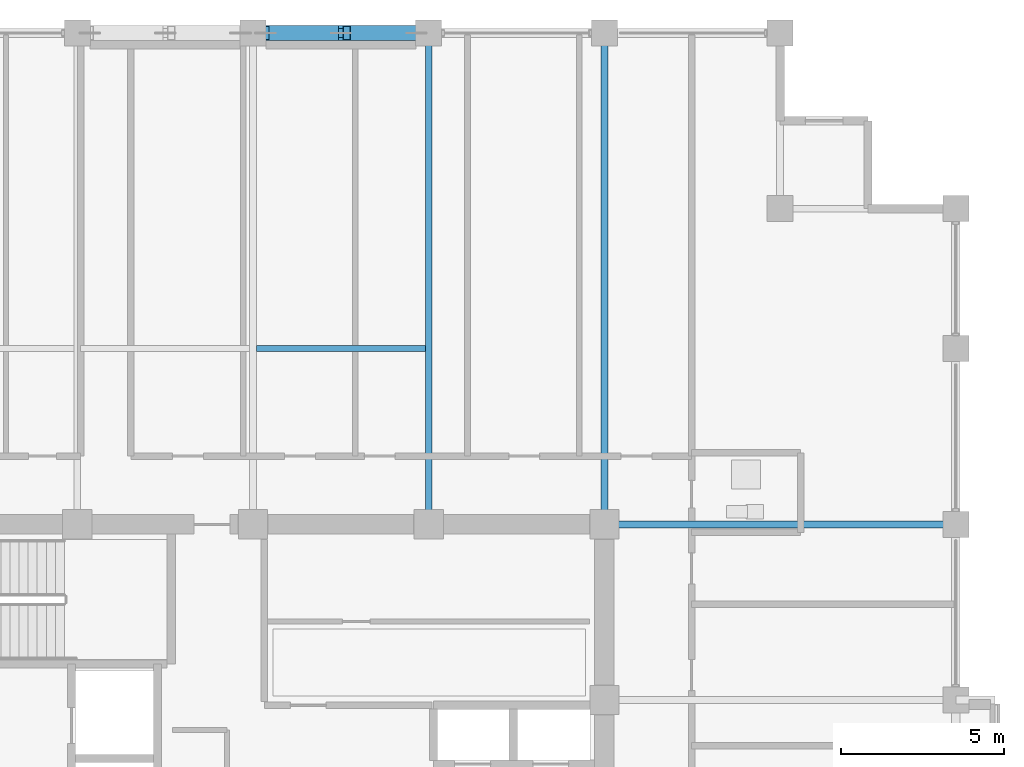
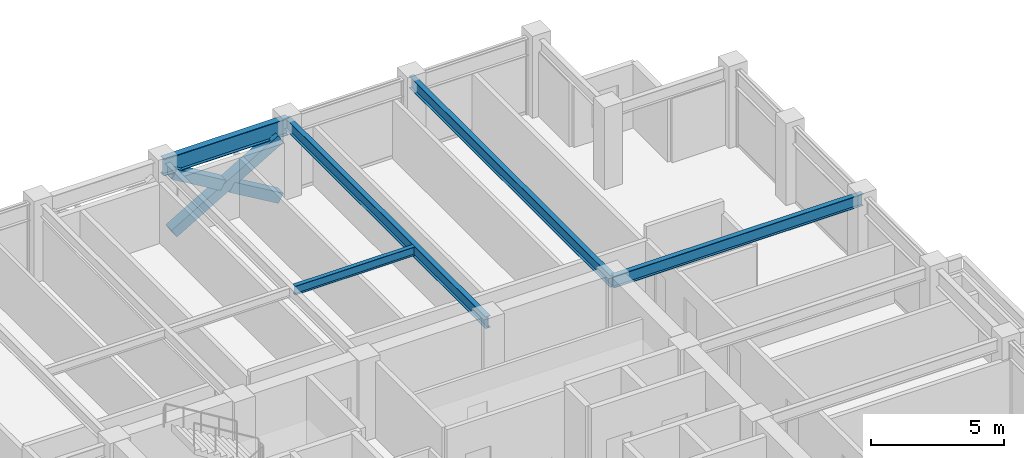
# One storey, part 18 of 28: 5 beams, 3 members.
"""IFC4 building model written with IfcOpenShell, lengths in metres."""

from ifc_helpers import new_model, si_unit, direction, frame, origin, origin_2d, place, context, subcontext, project, spatial, hollow_rectangle, i_section, extrude, material, material_profile, profile_set, type_object, element, save


model = new_model("IFC4")

# Units and contexts
model_context = context("Model", 3, precision=1e-05, world=origin(), true_north=direction((0.0, 1.0)))
body_context = subcontext(model_context, "Body", "Model", "MODEL_VIEW")
ifc_project = project(units=[si_unit("LENGTHUNIT", "METRE"), si_unit("AREAUNIT", "SQUARE_METRE"), si_unit("VOLUMEUNIT", "CUBIC_METRE"), si_unit("PLANEANGLEUNIT", "RADIAN"), si_unit("MASSUNIT", "GRAM", prefix="KILO")], contexts=[model_context])

# Site, building, storey
site_placement = place(None, origin())
site = spatial("IfcSite", under=ifc_project, at=site_placement, CompositionType="ELEMENT")
building_placement = place(site_placement, origin())
building = spatial("IfcBuilding", under=site, at=building_placement, Name="Surkhivell Harbour Commons", CompositionType="ELEMENT")
storey_placement = place(building_placement, frame((0.0, 0.0, 246.0)))
storey = spatial("IfcBuildingStorey", under=building, at=storey_placement, Name="L64", CompositionType="ELEMENT", Elevation=246.0)

# Beams
ifc_material_1 = material(Name="Steel S355", Category="steel")
ifc_material_profile_1 = material_profile(ifc_material_1, i_section(OverallWidth=0.2119140625, OverallDepth=0.5439453125, WebThickness=0.0126953125, FlangeThickness=0.021240234375, at=origin_2d()), Name="UB533x210x122")
ifc_profile_set_1 = profile_set([ifc_material_profile_1], Name="Steel S355")
beam_type_1 = type_object("IfcBeamType", Name="BM-GRD-533A", PredefinedType="BEAM", material=ifc_profile_set_1)
for number, where, z_axis, x_axis, name in (
    (1, (5.39990234375, 10.800048828125, 3.22802734375), (0.0, 1.0, 0.0), (-1.0, 0.0, 0.0), "L64 Floor Girder (5.4,10.8)"),
    (2, (10.800048828125, 10.800048828125, 3.22802734375), (0.0, 1.0, 0.0), (-1.0, 0.0, 0.0), "L64 Floor Girder (10.8,10.8)"),
):
    element("IfcBeam", number, at=place(storey_placement, frame(where, z_axis=z_axis, x_axis=x_axis)), inside=storey, type_object=beam_type_1, Name=name, PredefinedType="BEAM", context=body_context, shape_type="SweptSolid", body=[
        extrude(i_section(OverallWidth=0.2119140625, OverallDepth=0.5439453125, WebThickness=0.0126953125, FlangeThickness=0.021240234375, at=origin_2d()), origin(), (0.0, 0.0, 1.0), 15.099853515625),
    ])
beam_1_placement = place(storey_placement, frame((10.800048828125, 10.800048828125, 3.22802734375), z_axis=(1.0, 0.0, 0.0), x_axis=(0.0, 1.0, 0.0)))
element("IfcBeam", 3, at=beam_1_placement, inside=storey, type_object=beam_type_1, Name="L64 Floor Girder (10.8,10.8)", PredefinedType="BEAM", context=body_context, shape_type="SweptSolid", body=[
    extrude(i_section(OverallWidth=0.2119140625, OverallDepth=0.5439453125, WebThickness=0.0126953125, FlangeThickness=0.021240234375, at=origin_2d()), origin(), (0.0, 0.0, 1.0), 10.800048828125),
])
ifc_material_profile_2 = material_profile(ifc_material_1, i_section(OverallWidth=0.178955078125, OverallDepth=0.408935546875, WebThickness=0.0087890625, FlangeThickness=0.014404296875, at=origin_2d()), Name="UB406x178x67")
ifc_profile_set_2 = profile_set([ifc_material_profile_2], Name="Steel S355")
beam_type_2 = type_object("IfcBeamType", Name="BM-JST-406", PredefinedType="JOIST", material=ifc_profile_set_2)
beam_2_placement = place(storey_placement, frame((0.10400390625, 16.199951171875, 3.29541015625), z_axis=(1.0, 0.0, 0.0), x_axis=(0.0, 1.0, 0.0)))
element("IfcBeam", 4, at=beam_2_placement, inside=storey, type_object=beam_type_2, Name="L64 North Composite Joist (0.0)", PredefinedType="JOIST", context=body_context, shape_type="SweptSolid", body=[
    extrude(i_section(OverallWidth=0.178955078125, OverallDepth=0.408935546875, WebThickness=0.0087890625, FlangeThickness=0.014404296875, at=origin_2d()), origin(), (0.0, 0.0, 1.0), 5.19189453125),
])
ifc_material_profile_3 = material_profile(ifc_material_1, i_section(OverallWidth=0.26806640625, OverallDepth=0.77001953125, WebThickness=0.015625, FlangeThickness=0.025390625, at=origin_2d()), Name="UB762x267x197")
ifc_profile_set_3 = profile_set([ifc_material_profile_3], Name="Steel S355")
beam_type_3 = type_object("IfcBeamType", Name="BM-SPN-762", PredefinedType="SPANDREL", material=ifc_profile_set_3)
beam_3_placement = place(storey_placement, frame((0.0, 25.89990234375, 3.114990234375), z_axis=(1.0, 0.0, 0.0), x_axis=(0.0, 1.0, 0.0)))
element("IfcBeam", 5, at=beam_3_placement, inside=storey, type_object=beam_type_3, Name="L64 Tube Spandrel (-0.0,25.9)", PredefinedType="SPANDREL", context=body_context, shape_type="SweptSolid", body=[
    extrude(i_section(OverallWidth=0.26806640625, OverallDepth=0.77001953125, WebThickness=0.015625, FlangeThickness=0.025390625, at=origin_2d()), origin(), (0.0, 0.0, 1.0), 5.39990234375),
])

# Members
ifc_material_2 = material(Name="Steel S460", Category="steel")
ifc_material_profile_4 = material_profile(ifc_material_2, hollow_rectangle(XDim=0.449951171875, YDim=0.449951171875, WallThickness=0.02197265625, at=origin_2d()), Name="SHS450x450x22")
ifc_profile_set_4 = profile_set([ifc_material_profile_4], Name="Steel S460")
member_type = type_object("IfcMemberType", Name="MEM-BRC-SHS450", PredefinedType="BRACE", material=ifc_profile_set_4)
member_placement = place(storey_placement, frame((0.385009765625, 25.89990234375, 0.008056640625), z_axis=(0.861741408659, 0.0, 0.507347755098), x_axis=(0.0, 1.0, 0.0)))
element("IfcMember", 6, at=member_placement, inside=storey, type_object=member_type, Name="L64 Perimeter Mega-Brace MB- 04", PredefinedType="BRACE", context=body_context, shape_type="SweptSolid", body=[
    extrude(hollow_rectangle(XDim=0.449951171875, YDim=0.449951171875, WallThickness=0.02197265625, at=origin_2d()), origin(), (0.0, 0.0, 1.0), 5.372802734375),
])
for number, where, z_axis, x_axis, name in (
    (7, (5.014892578125, 25.89990234375, 0.008056640625), (-0.861735995374, 0.0, 0.50735694957), (0.0, -1.0, 0.0), "L64 Perimeter Mega-Brace MB- 05"),
    (8, (2.513916015625, 25.89990234375, 1.480712890625), (-0.861779200568, 0.0, 0.507283559233), (0.0, -1.0, 0.0), "L64 Perimeter Mega-Brace MB- 06"),
):
    element("IfcMember", number, at=place(storey_placement, frame(where, z_axis=z_axis, x_axis=x_axis)), inside=storey, type_object=member_type, Name=name, PredefinedType="BRACE", context=body_context, shape_type="SweptSolid", body=[
        extrude(hollow_rectangle(XDim=0.449951171875, YDim=0.449951171875, WallThickness=0.02197265625, at=origin_2d()), origin(), (0.0, 0.0, 1.0), 2.470458984375),
    ])

save(model, "model.ifc")
